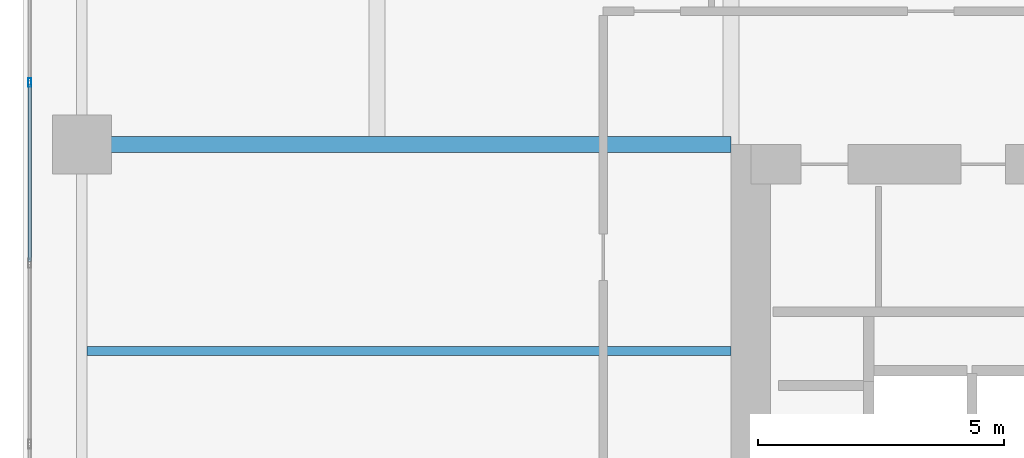
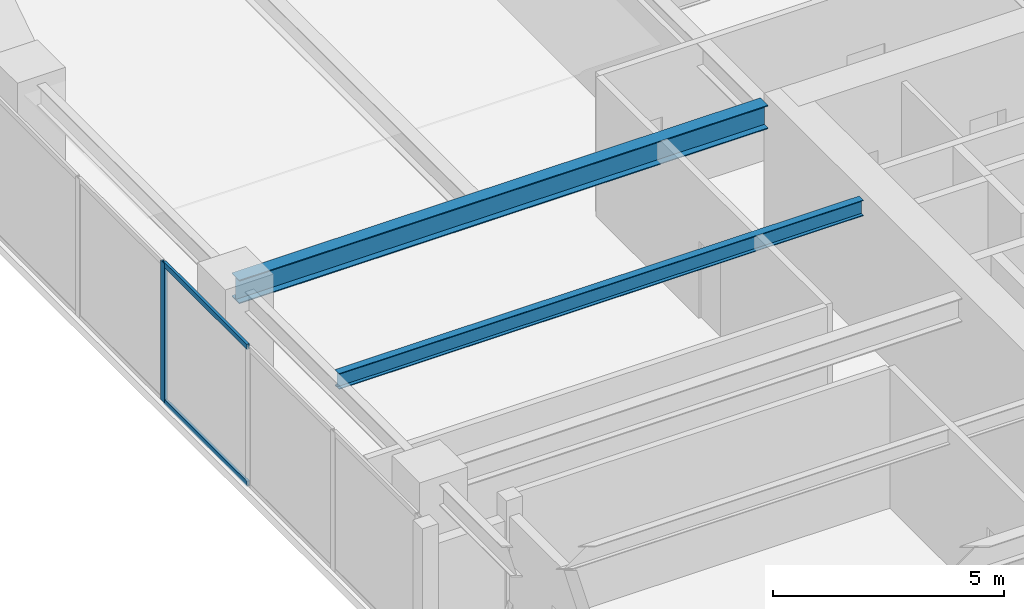
# One storey, part 6 of 30: 3 members, 2 beams, 1 element without a shape of its own.
"""IFC4 building model written with IfcOpenShell, lengths in metres."""

from ifc_helpers import new_model, si_unit, direction, frame, origin, origin_2d, place, context, subcontext, project, spatial, hollow_rectangle, i_section, extrude, material, layer, layer_set, material_profile, profile_set, type_object, element, aggregate, save


model = new_model("IFC4")

# Units and contexts
model_context = context("Model", 3, precision=1e-05, world=origin(), true_north=direction((0.0, 1.0)))
body_context = subcontext(model_context, "Body", "Model", "MODEL_VIEW")
ifc_project = project(units=[si_unit("LENGTHUNIT", "METRE"), si_unit("AREAUNIT", "SQUARE_METRE"), si_unit("VOLUMEUNIT", "CUBIC_METRE"), si_unit("PLANEANGLEUNIT", "RADIAN"), si_unit("MASSUNIT", "GRAM", prefix="KILO")], contexts=[model_context])

# Site, building, storey
site_placement = place(None, origin())
site = spatial("IfcSite", under=ifc_project, at=site_placement, CompositionType="ELEMENT")
building_placement = place(site_placement, origin())
building = spatial("IfcBuilding", under=site, at=building_placement, Name="Kiyonajd Concourse Tower", CompositionType="ELEMENT")
storey_placement = place(building_placement, frame((0.0, 0.0, 162.300048828125)))
storey = spatial("IfcBuildingStorey", under=building, at=storey_placement, Name="L41", CompositionType="ELEMENT", Elevation=162.300048828125)

# Beams
ifc_material_1 = material(Name="Steel ASTM A992 Grade 50", Category="steel")
ifc_material_profile_1 = material_profile(ifc_material_1, i_section(OverallWidth=0.180908203125, OverallDepth=0.4169921875, WebThickness=0.010986328125, FlangeThickness=0.018310546875, at=origin_2d()), Name="W410X85")
ifc_profile_set_1 = profile_set([ifc_material_profile_1], Name="Steel ASTM A992 Grade 50")
beam_type_1 = type_object("IfcBeamType", Name="BM-JST-410", PredefinedType="JOIST", material=ifc_profile_set_1)
beam_1_placement = place(storey_placement, frame((19.306884765625, 40.199951171875, 3.471435546875), z_axis=(1.0, 0.0, 0.0), x_axis=(0.0, 1.0, 0.0)))
element("IfcBeam", 1, at=beam_1_placement, inside=storey, type_object=beam_type_1, Name="L41 West Secondary Floor Joist", PredefinedType="JOIST", context=body_context, shape_type="SweptSolid", body=[
    extrude(i_section(OverallWidth=0.180908203125, OverallDepth=0.4169921875, WebThickness=0.010986328125, FlangeThickness=0.018310546875, at=origin_2d()), origin(), (0.0, 0.0, 1.0), 13.093017578125),
])
ifc_material_profile_2 = material_profile(ifc_material_1, i_section(OverallWidth=0.326904296875, OverallDepth=0.6220703125, WebThickness=0.015380859375, FlangeThickness=0.0244140625, at=origin_2d()), Name="W610X195")
ifc_profile_set_2 = profile_set([ifc_material_profile_2], Name="Steel ASTM A992 Grade 50")
beam_type_2 = type_object("IfcBeamType", Name="BM-TWR-610A", PredefinedType="BEAM", material=ifc_profile_set_2)
beam_2_placement = place(storey_placement, frame((19.199951171875, 44.39990234375, 3.368896484375), z_axis=(1.0, 0.0, 0.0), x_axis=(0.0, 1.0, 0.0)))
element("IfcBeam", 2, at=beam_2_placement, inside=storey, type_object=beam_type_2, Name="L41 West Lease Girder", PredefinedType="BEAM", context=body_context, shape_type="SweptSolid", body=[
    extrude(i_section(OverallWidth=0.326904296875, OverallDepth=0.6220703125, WebThickness=0.015380859375, FlangeThickness=0.0244140625, at=origin_2d()), origin(), (0.0, 0.0, 1.0), 13.199951171875),
])

# Curtain wall, members
ifc_material_2 = material(Name="Thermally Broken Anodised Aluminium", Category="aluminium")
ifc_layer = layer(ifc_material_2, 0.179931640625)
ifc_layer_set = layer_set([ifc_layer], Name="Thermally Broken Anodised Aluminium")
curtain_wall_type = type_object("IfcCurtainWallType", Name="CW-SYS-03", PredefinedType="NOTDEFINED", material=ifc_layer_set)
curtain_wall_placement = place(storey_placement, origin())
curtain_wall = element("IfcCurtainWall", 3, at=curtain_wall_placement, inside=storey, type_object=curtain_wall_type, Name="L41 Unitised Curtain Wall CW3", PredefinedType="NOTDEFINED")
ifc_material_profile_3 = material_profile(ifc_material_2, hollow_rectangle(XDim=0.06494140625, YDim=0.179931640625, WallThickness=0.00390625, at=origin_2d()), Name="MULL-65x180")
ifc_profile_set_3 = profile_set([ifc_material_profile_3], Name="Thermally Broken Anodised Aluminium")
member_type_1 = type_object("IfcMemberType", Name="MB-CW-MULL1", PredefinedType="MULLION", material=ifc_profile_set_3)
member_1_placement = place(storey_placement, frame((18.139892578125, 45.660888671875, 0.0), z_axis=(0.0, 0.0, 1.0), x_axis=(-1.0, 0.0, 0.0)))
member_1 = element("IfcMember", 4, at=member_1_placement, type_object=member_type_1, Name="CW3 mullion 4", PredefinedType="MULLION", context=body_context, shape_type="SweptSolid", body=[
    extrude(hollow_rectangle(XDim=0.06494140625, YDim=0.179931640625, WallThickness=0.00390625, at=origin_2d()), origin(), (0.0, 0.0, 1.0), 3.679931640625),
])
ifc_material_profile_4 = material_profile(ifc_material_2, hollow_rectangle(XDim=0.06494140625, YDim=0.139892578125, WallThickness=0.00390625, at=origin_2d()), Name="TRAN-65x140")
ifc_profile_set_4 = profile_set([ifc_material_profile_4], Name="Thermally Broken Anodised Aluminium")
member_type_2 = type_object("IfcMemberType", Name="MB-CW-TRAN1", PredefinedType="USERDEFINED", material=ifc_profile_set_4)
member_2_placement = place(storey_placement, frame((18.139892578125, 42.016357421875, 0.032470703125), z_axis=(0.0, 1.0, 0.0), x_axis=(-1.0, 0.0, 0.0)))
member_2 = element("IfcMember", 5, at=member_2_placement, type_object=member_type_2, Name="CW3 transom 3.1", ObjectType="TRANSOM", PredefinedType="USERDEFINED", context=body_context, shape_type="SweptSolid", body=[
    extrude(hollow_rectangle(XDim=0.06494140625, YDim=0.139892578125, WallThickness=0.00390625, at=origin_2d()), origin(), (0.0, 0.0, 1.0), 3.612060546875),
])
member_3_placement = place(storey_placement, frame((18.139892578125, 42.016357421875, 3.6474609375), z_axis=(0.0, 1.0, 0.0), x_axis=(-1.0, 0.0, 0.0)))
member_3 = element("IfcMember", 6, at=member_3_placement, type_object=member_type_2, Name="CW3 transom 3.2", ObjectType="TRANSOM", PredefinedType="USERDEFINED", context=body_context, shape_type="SweptSolid", body=[
    extrude(hollow_rectangle(XDim=0.06494140625, YDim=0.139892578125, WallThickness=0.00390625, at=origin_2d()), origin(), (0.0, 0.0, 1.0), 3.612060546875),
])
aggregate(curtain_wall, [member_1, member_2, member_3])

save(model, "model.ifc")
